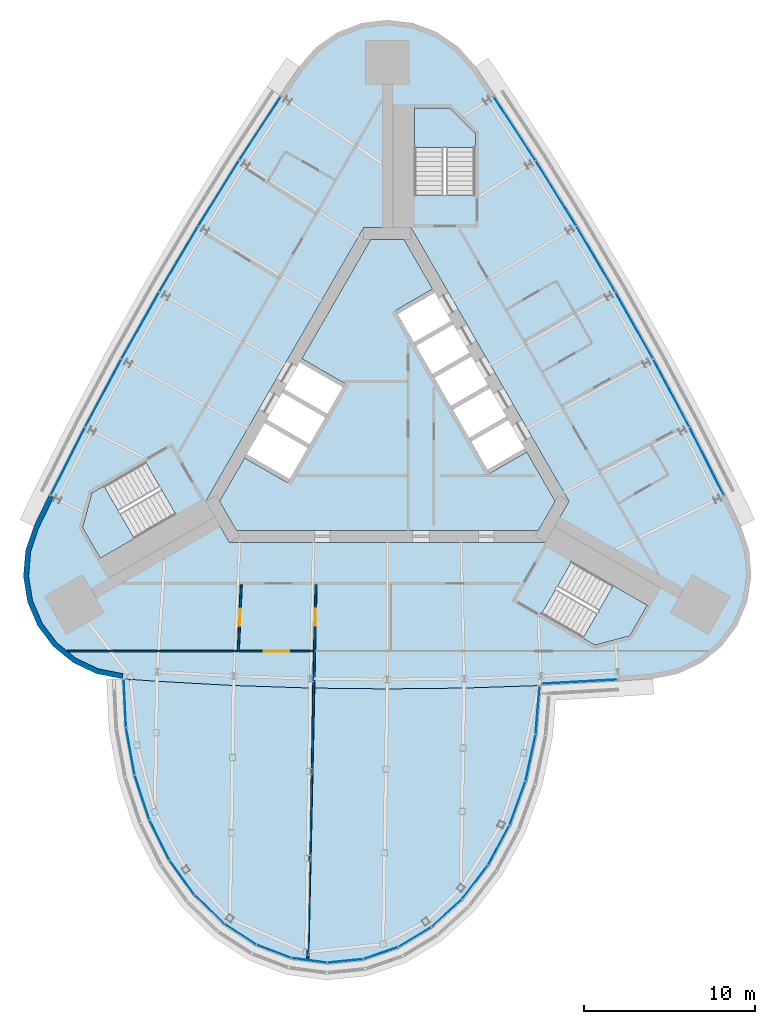
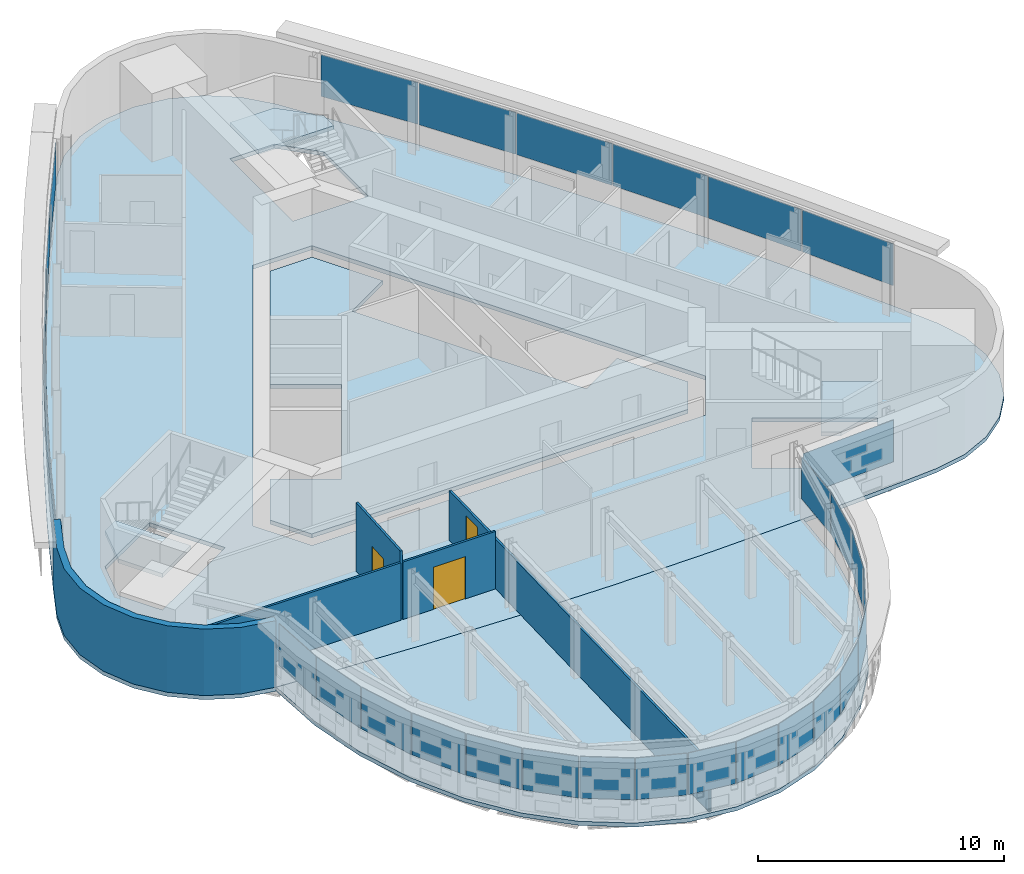
# One storey, part 9 of 15: 31 plates, 6 slabs, 5 walls, 3 doors, 3 openings, 7 elements without a shape of their own.
"""IFC4 building model written with IfcOpenShell, lengths in metres."""

from ifc_helpers import new_model, si_unit, direction, frame, frame_2d, origin, origin_2d, place, context, subcontext, project, spatial, polyline, rectangle, outline, extrude, material, layer, layer_set, type_object, element, fill, aggregate, save


model = new_model("IFC4")

# Units and contexts
model_context = context("Model", 3, precision=1e-05, world=origin(), true_north=direction((0.0, 1.0)))
body_context = subcontext(model_context, "Body", "Model", "MODEL_VIEW")
ifc_project = project(units=[si_unit("LENGTHUNIT", "METRE"), si_unit("AREAUNIT", "SQUARE_METRE"), si_unit("VOLUMEUNIT", "CUBIC_METRE"), si_unit("PLANEANGLEUNIT", "RADIAN"), si_unit("MASSUNIT", "GRAM", prefix="KILO")], contexts=[model_context])

# Site, building, storey
site_placement = place(None, origin())
site = spatial("IfcSite", under=ifc_project, at=site_placement, CompositionType="ELEMENT")
building_placement = place(site_placement, origin())
building = spatial("IfcBuilding", under=site, at=building_placement, Name="Noor Cloister Tower", CompositionType="ELEMENT")
storey_placement = place(building_placement, frame((0.0, 0.0, 225.60009765625)))
storey = spatial("IfcBuildingStorey", under=building, at=storey_placement, Name="L58", CompositionType="ELEMENT", Elevation=225.60009765625)

# Slabs
ifc_material_1 = material(Name="Concrete C40/50", Category="concrete")
ifc_layer_1 = layer(ifc_material_1, 0.199951171875)
ifc_layer_set_1 = layer_set([ifc_layer_1], Name="Core floor slab 200 C40/50")
slab_type_1 = type_object("IfcSlabType", Name="Core floor slab 200 C40/50", PredefinedType="FLOOR", material=ifc_layer_set_1)
slab_1_placement = place(storey_placement, frame((0.0, 0.0, -0.2001953125)))
element("IfcSlab", 1, at=slab_1_placement, inside=storey, type_object=slab_type_1, Name="Core floor L58", PredefinedType="FLOOR", context=body_context, shape_type="SweptSolid", body=[
    extrude(outline(polyline([(2.643798828125, 7.877197265625), (0.9814453125, 10.75634765625), (-0.9814453125, 10.75634765625), (-4.993896484375, 3.806884765625), (-2.482421875, 2.35693359375), (-5.832275390625, -3.4453125), (-8.34375, -1.995361328125), (-9.80615234375, -4.5283203125), (-8.82470703125, -6.228271484375), (8.82470703125, -6.228271484375), (9.80615234375, -4.5283203125), (8.143798828125, -1.64892578125), (5.978759765625, -2.89892578125), (0.478759765625, 6.627197265625), (2.643798828125, 7.877197265625)])), origin(), (0.0, 0.0, 1.0), 0.2001953125),
])
ifc_material_2 = material(Name="Concrete C40/50", Category="concrete")
ifc_layer_2 = layer(ifc_material_2, 0.199951171875)
ifc_layer_set_2 = layer_set([ifc_layer_2], Name="Floor slab 200 C40/50")
slab_type_2 = type_object("IfcSlabType", Name="Floor slab 200 C40/50", PredefinedType="FLOOR", material=ifc_layer_set_2)
slab_2_placement = place(storey_placement, frame((0.0, 0.0, -0.2001953125)))
element("IfcSlab", 2, at=slab_2_placement, inside=storey, type_object=slab_type_2, Name="Floor slab L58", PredefinedType="FLOOR", context=body_context, shape_type="SweptSolid", body=[
    extrude(outline(polyline([(5.148681640625, 20.87890625), (4.1513671875, 22.012939453125), (2.91064453125, 22.874267578125), (1.499267578125, 23.412109375), (0.0, 23.5947265625), (-1.499267578125, 23.412109375), (-2.91064453125, 22.874267578125), (-4.1513671875, 22.012939453125), (-5.148681640625, 20.87890625), (-6.2822265625, 19.2041015625), (-8.744140625, 15.437255859375), (-11.122314453125, 11.6171875), (-13.415283203125, 7.745361328125), (-15.621826171875, 3.823486328125), (-17.7412109375, -0.14599609375), (-19.772216796875, -4.16162109375), (-20.65576171875, -5.98046875), (-21.139404296875, -7.411376953125), (-21.264892578125, -8.91650390625), (-21.02490234375, -10.40771484375), (-20.433837890625, -11.79736328125), (-19.52587890625, -13.00439453125), (-18.354248046875, -13.957763671875), (-16.988037109375, -14.6015625), (-15.50732421875, -14.898193359375), (-13.489990234375, -15.04248046875), (-8.9970703125, -15.291259765625), (-4.49951171875, -15.440673828125), (0.0, -15.490478515625), (4.49951171875, -15.440673828125), (8.9970703125, -15.291259765625), (13.489990234375, -15.04248046875), (15.50732421875, -14.898193359375), (16.988037109375, -14.6015625), (18.354248046875, -13.957763671875), (19.52587890625, -13.00439453125), (20.433837890625, -11.79736328125), (21.02490234375, -10.40771484375), (21.264892578125, -8.91650390625), (21.139404296875, -7.411376953125), (20.65576171875, -5.98046875), (19.772216796875, -4.16162109375), (17.7412109375, -0.14599609375), (15.621826171875, 3.823486328125), (13.415283203125, 7.745361328125), (11.122314453125, 11.6171875), (8.744140625, 15.437255859375), (6.2822265625, 19.2041015625), (5.148681640625, 20.87890625)]), holes=[polyline([(8.999755859375, -11.126220703125), (12.131591796875, -12.934326171875), (14.1572265625, -12.3916015625), (15.19091796875, -10.601318359375), (10.774658203125, -8.0517578125), (8.999755859375, -11.126220703125)]), polyline([(-17.81005859375, -6.064697265625), (-16.776611328125, -7.85498046875), (-12.3603515625, -5.305419921875), (-14.13525390625, -2.23095703125), (-16.662841796875, -3.690185546875), (-17.267333984375, -4.039306640625), (-17.81005859375, -6.064697265625)]), polyline([(-10.6142578125, -4.5283203125), (-9.228759765625, -6.92822265625), (9.228759765625, -6.92822265625), (10.6142578125, -4.5283203125), (1.3857421875, 11.456298828125), (-1.3857421875, 11.456298828125), (-10.6142578125, -4.5283203125)]), polyline([(3.65283203125, 18.456298828125), (1.585693359375, 18.456298828125), (1.585693359375, 13.35693359375), (5.135498046875, 13.35693359375), (5.135498046875, 16.9736328125), (3.65283203125, 18.456298828125)])]), origin(), (0.0, 0.0, 1.0), 0.2001953125),
])

# Curtain wall, plates
ifc_material_3 = material(Name="Aluminium 6063-T6 anodised", Category="aluminium")
curtain_wall_type_1 = type_object("IfcCurtainWallType", Name="Ribbon curtain wall, upper tower CW5", PredefinedType="NOTDEFINED", material=ifc_material_3)
curtain_wall_1_placement = place(storey_placement, origin())
curtain_wall_1 = element("IfcCurtainWall", 3, at=curtain_wall_1_placement, inside=storey, type_object=curtain_wall_type_1, Name="CW5 L58 NW run 1", PredefinedType="NOTDEFINED")
ifc_material_4 = material(Name="Clear laminated glass 2 x 8 mm", Category="glass")
ifc_layer_3 = layer(ifc_material_4, 0.028076171875)
ifc_layer_set_3 = layer_set([ifc_layer_3], Name="Glass panel CW5")
plate_type_1 = type_object("IfcPlateType", Name="Glass panel CW5", PredefinedType="CURTAIN_PANEL", material=ifc_layer_set_3)
plate_1_placement = place(storey_placement, frame((-7.438720703125, 17.251708984375, 1.08984375), z_axis=(0.0, 0.0, 1.0), x_axis=(-0.547130585813, -0.837047263939, 0.0)))
plate_1 = element("IfcPlate", 4, at=plate_1_placement, type_object=plate_type_1, Name="CW5 glass panel 1", PredefinedType="CURTAIN_PANEL", context=body_context, shape_type="SweptSolid", body=[
    extrude(rectangle(XDim=4.413818359375, YDim=0.028076171875, at=origin_2d()), origin(), (0.0, 0.0, 1.0), 2.070068359375),
])
plate_2_placement = place(storey_placement, frame((-9.848388671875, 13.474365234375, 1.08984375), z_axis=(0.0, 0.0, 1.0), x_axis=(-0.528471347381, -0.848951138168, 0.0)))
plate_2 = element("IfcPlate", 5, at=plate_2_placement, type_object=plate_type_1, Name="CW5 glass panel 2", PredefinedType="CURTAIN_PANEL", context=body_context, shape_type="SweptSolid", body=[
    extrude(rectangle(XDim=4.44775390625, YDim=0.028076171875, at=origin_2d()), origin(), (0.0, 0.0, 1.0), 2.070068359375),
])
plate_3_placement = place(storey_placement, frame((-12.1826171875, 9.630126953125, 1.08984375), z_axis=(0.0, 0.0, 1.0), x_axis=(-0.509553242025, -0.860439128319, 0.0)))
plate_3 = element("IfcPlate", 6, at=plate_3_placement, type_object=plate_type_1, Name="CW5 glass panel 3", PredefinedType="CURTAIN_PANEL", context=body_context, shape_type="SweptSolid", body=[
    extrude(rectangle(XDim=4.44775390625, YDim=0.028076171875, at=origin_2d()), origin(), (0.0, 0.0, 1.0), 2.070068359375),
])
plate_4_placement = place(storey_placement, frame((-14.431396484375, 5.7353515625, 1.08984375), z_axis=(0.0, 0.0, 1.0), x_axis=(-0.490385522521, -0.871505616334, 0.0)))
plate_4 = element("IfcPlate", 7, at=plate_4_placement, type_object=plate_type_1, Name="CW5 glass panel 4", PredefinedType="CURTAIN_PANEL", context=body_context, shape_type="SweptSolid", body=[
    extrude(rectangle(XDim=4.44775390625, YDim=0.028076171875, at=origin_2d()), origin(), (0.0, 0.0, 1.0), 2.070068359375),
])
plate_5_placement = place(storey_placement, frame((-16.59326171875, 1.791748046875, 1.08984375), z_axis=(0.0, 0.0, 1.0), x_axis=(-0.470977578535, -0.882145181088, 0.0)))
plate_5 = element("IfcPlate", 8, at=plate_5_placement, type_object=plate_type_1, Name="CW5 glass panel 5", PredefinedType="CURTAIN_PANEL", context=body_context, shape_type="SweptSolid", body=[
    extrude(rectangle(XDim=4.44775390625, YDim=0.028076171875, at=origin_2d()), origin(), (0.0, 0.0, 1.0), 2.070068359375),
])
plate_6_placement = place(storey_placement, frame((-18.659912109375, -2.183837890625, 1.08984375), z_axis=(0.0, 0.0, 1.0), x_axis=(-0.451338901833, -0.892352618471, 0.0)))
plate_6 = element("IfcPlate", 9, at=plate_6_placement, type_object=plate_type_1, Name="CW5 glass panel 6", PredefinedType="CURTAIN_PANEL", context=body_context, shape_type="SweptSolid", body=[
    extrude(rectangle(XDim=4.413818359375, YDim=0.028076171875, at=origin_2d()), origin(), (0.0, 0.0, 1.0), 2.070068359375),
])
aggregate(curtain_wall_1, [plate_1, plate_2, plate_3, plate_4, plate_5, plate_6])

# Curtain wall, plate
curtain_wall_2_placement = place(storey_placement, origin())
curtain_wall_2 = element("IfcCurtainWall", 10, at=curtain_wall_2_placement, inside=storey, type_object=curtain_wall_type_1, Name="CW5 L58 S run 3", PredefinedType="NOTDEFINED")
plate_7_placement = place(storey_placement, frame((11.238037109375, -15.067138671875, 1.08984375), z_axis=(0.0, 0.0, 1.0), x_axis=(0.998469487646, 0.055305354532, 0.0)))
plate_7 = element("IfcPlate", 11, at=plate_7_placement, type_object=plate_type_1, Name="CW5 glass panel 1", PredefinedType="CURTAIN_PANEL", context=body_context, shape_type="SweptSolid", body=[
    extrude(rectangle(XDim=4.3798828125, YDim=0.028076171875, at=origin_2d()), origin(), (0.0, 0.0, 1.0), 2.070068359375),
])
aggregate(curtain_wall_2, [plate_7])

# Curtain wall, plates
curtain_wall_3_placement = place(storey_placement, origin())
curtain_wall_3 = element("IfcCurtainWall", 12, at=curtain_wall_3_placement, inside=storey, type_object=curtain_wall_type_1, Name="CW5 L58 NE run 4", PredefinedType="NOTDEFINED")
plate_8_placement = place(storey_placement, frame((18.659912109375, -2.183837890625, 1.08984375), z_axis=(0.0, 0.0, 1.0), x_axis=(-0.451338901833, 0.892352618471, 0.0)))
plate_8 = element("IfcPlate", 13, at=plate_8_placement, type_object=plate_type_1, Name="CW5 glass panel 1", PredefinedType="CURTAIN_PANEL", context=body_context, shape_type="SweptSolid", body=[
    extrude(rectangle(XDim=4.413818359375, YDim=0.028076171875, at=origin_2d()), origin(), (0.0, 0.0, 1.0), 2.070068359375),
])
plate_9_placement = place(storey_placement, frame((16.59326171875, 1.791748046875, 1.08984375), z_axis=(0.0, 0.0, 1.0), x_axis=(-0.470977578535, 0.882145181088, 0.0)))
plate_9 = element("IfcPlate", 14, at=plate_9_placement, type_object=plate_type_1, Name="CW5 glass panel 2", PredefinedType="CURTAIN_PANEL", context=body_context, shape_type="SweptSolid", body=[
    extrude(rectangle(XDim=4.44775390625, YDim=0.028076171875, at=origin_2d()), origin(), (0.0, 0.0, 1.0), 2.070068359375),
])
plate_10_placement = place(storey_placement, frame((14.431396484375, 5.7353515625, 1.08984375), z_axis=(0.0, 0.0, 1.0), x_axis=(-0.490385522521, 0.871505616334, 0.0)))
plate_10 = element("IfcPlate", 15, at=plate_10_placement, type_object=plate_type_1, Name="CW5 glass panel 3", PredefinedType="CURTAIN_PANEL", context=body_context, shape_type="SweptSolid", body=[
    extrude(rectangle(XDim=4.44775390625, YDim=0.028076171875, at=origin_2d()), origin(), (0.0, 0.0, 1.0), 2.070068359375),
])
plate_11_placement = place(storey_placement, frame((12.1826171875, 9.630126953125, 1.08984375), z_axis=(0.0, 0.0, 1.0), x_axis=(-0.509553242025, 0.860439128319, 0.0)))
plate_11 = element("IfcPlate", 16, at=plate_11_placement, type_object=plate_type_1, Name="CW5 glass panel 4", PredefinedType="CURTAIN_PANEL", context=body_context, shape_type="SweptSolid", body=[
    extrude(rectangle(XDim=4.44775390625, YDim=0.028076171875, at=origin_2d()), origin(), (0.0, 0.0, 1.0), 2.070068359375),
])
plate_12_placement = place(storey_placement, frame((9.848388671875, 13.474365234375, 1.08984375), z_axis=(0.0, 0.0, 1.0), x_axis=(-0.528471347381, 0.848951138168, 0.0)))
plate_12 = element("IfcPlate", 17, at=plate_12_placement, type_object=plate_type_1, Name="CW5 glass panel 5", PredefinedType="CURTAIN_PANEL", context=body_context, shape_type="SweptSolid", body=[
    extrude(rectangle(XDim=4.44775390625, YDim=0.028076171875, at=origin_2d()), origin(), (0.0, 0.0, 1.0), 2.070068359375),
])
plate_13_placement = place(storey_placement, frame((7.438720703125, 17.251708984375, 1.08984375), z_axis=(0.0, 0.0, 1.0), x_axis=(-0.547130585813, 0.837047263939, 0.0)))
plate_13 = element("IfcPlate", 18, at=plate_13_placement, type_object=plate_type_1, Name="CW5 glass panel 6", PredefinedType="CURTAIN_PANEL", context=body_context, shape_type="SweptSolid", body=[
    extrude(rectangle(XDim=4.413818359375, YDim=0.028076171875, at=origin_2d()), origin(), (0.0, 0.0, 1.0), 2.070068359375),
])
aggregate(curtain_wall_3, [plate_8, plate_9, plate_10, plate_11, plate_12, plate_13])

ifc_material_5 = material(Name="Aluminium 6063-T6 anodised", Category="aluminium")
curtain_wall_type_2 = type_object("IfcCurtainWallType", Name="Sky bar curtain wall, upper bars CW6", PredefinedType="NOTDEFINED", material=ifc_material_5)
curtain_wall_4_placement = place(storey_placement, origin())
curtain_wall_4 = element("IfcCurtainWall", 19, at=curtain_wall_4_placement, inside=storey, type_object=curtain_wall_type_2, Name="CW6 L58 S sky bar run 2", PredefinedType="NOTDEFINED")
ifc_material_6 = material(Name="Clear laminated glass 2 x 8 mm", Category="glass")
ifc_layer_4 = layer(ifc_material_6, 0.028076171875)
ifc_layer_set_4 = layer_set([ifc_layer_4], Name="Glass panel CW6")
plate_type_2 = type_object("IfcPlateType", Name="Glass panel CW6", PredefinedType="CURTAIN_PANEL", material=ifc_layer_set_4)
plate_14_placement = place(storey_placement, frame((-15.336669921875, -16.34130859375, 1.08984375), z_axis=(0.0, 0.0, 1.0), x_axis=(0.048822714606, -0.998807460194, 0.0)))
plate_14 = element("IfcPlate", 20, at=plate_14_placement, type_object=plate_type_2, Name="CW6 glass panel 1", PredefinedType="CURTAIN_PANEL", context=body_context, shape_type="SweptSolid", body=[
    extrude(rectangle(XDim=2.779541015625, YDim=0.028076171875, at=origin_2d()), origin(), (0.0, 0.0, 1.0), 2.070068359375),
])
plate_15_placement = place(storey_placement, frame((-15.0146484375, -19.141357421875, 1.08984375), z_axis=(0.0, 0.0, 1.0), x_axis=(0.17940983055, -0.983774421655, 0.0)))
plate_15 = element("IfcPlate", 21, at=plate_15_placement, type_object=plate_type_2, Name="CW6 glass panel 2", PredefinedType="CURTAIN_PANEL", context=body_context, shape_type="SweptSolid", body=[
    extrude(rectangle(XDim=2.76904296875, YDim=0.028076171875, at=origin_2d()), origin(), (0.0, 0.0, 1.0), 2.070068359375),
])
plate_16_placement = place(storey_placement, frame((-14.33349609375, -21.831787109375, 1.08984375), z_axis=(0.0, 0.0, 1.0), x_axis=(0.312038400658, -0.950069490361, 0.0)))
plate_16 = element("IfcPlate", 22, at=plate_16_placement, type_object=plate_type_2, Name="CW6 glass panel 3", PredefinedType="CURTAIN_PANEL", context=body_context, shape_type="SweptSolid", body=[
    extrude(rectangle(XDim=2.694091796875, YDim=0.028076171875, at=origin_2d()), origin(), (0.0, 0.0, 1.0), 2.070068359375),
])
plate_17_placement = place(storey_placement, frame((-13.315185546875, -24.316162109375, 1.08984375), z_axis=(0.0, 0.0, 1.0), x_axis=(0.447069484566, -0.894499231956, 0.0)))
plate_17 = element("IfcPlate", 23, at=plate_17_placement, type_object=plate_type_2, Name="CW6 glass panel 4", PredefinedType="CURTAIN_PANEL", context=body_context, shape_type="SweptSolid", body=[
    extrude(rectangle(XDim=2.590087890625, YDim=0.028076171875, at=origin_2d()), origin(), (0.0, 0.0, 1.0), 2.070068359375),
])
plate_18_placement = place(storey_placement, frame((-11.9912109375, -26.51904296875, 1.08984375), z_axis=(0.0, 0.0, 1.0), x_axis=(0.583263432712, -0.812283059076, 0.0)))
plate_18 = element("IfcPlate", 24, at=plate_18_placement, type_object=plate_type_2, Name="CW6 glass panel 5", PredefinedType="CURTAIN_PANEL", context=body_context, shape_type="SweptSolid", body=[
    extrude(rectangle(XDim=2.466064453125, YDim=0.028076171875, at=origin_2d()), origin(), (0.0, 0.0, 1.0), 2.070068359375),
])
plate_19_placement = place(storey_placement, frame((-10.40234375, -28.373291015625, 1.08984375), z_axis=(0.0, 0.0, 1.0), x_axis=(0.716495314317, -0.697591904025, 0.0)))
plate_19 = element("IfcPlate", 25, at=plate_19_placement, type_object=plate_type_2, Name="CW6 glass panel 6", PredefinedType="CURTAIN_PANEL", context=body_context, shape_type="SweptSolid", body=[
    extrude(rectangle(XDim=2.3359375, YDim=0.028076171875, at=origin_2d()), origin(), (0.0, 0.0, 1.0), 2.070068359375),
])
plate_20_placement = place(storey_placement, frame((-8.59814453125, -29.8232421875, 1.08984375), z_axis=(0.0, 0.0, 1.0), x_axis=(0.838255798572, -0.545277192041, 0.0)))
plate_20 = element("IfcPlate", 26, at=plate_20_placement, type_object=plate_type_2, Name="CW6 glass panel 7", PredefinedType="CURTAIN_PANEL", context=body_context, shape_type="SweptSolid", body=[
    extrude(rectangle(XDim=2.21484375, YDim=0.028076171875, at=origin_2d()), origin(), (0.0, 0.0, 1.0), 2.070068359375),
])
plate_21_placement = place(storey_placement, frame((-6.6337890625, -30.825439453125, 1.08984375), z_axis=(0.0, 0.0, 1.0), x_axis=(0.935082379451, -0.354430449651, 0.0)))
plate_21 = element("IfcPlate", 27, at=plate_21_placement, type_object=plate_type_2, Name="CW6 glass panel 8", PredefinedType="CURTAIN_PANEL", context=body_context, shape_type="SweptSolid", body=[
    extrude(rectangle(XDim=2.12060546875, YDim=0.028076171875, at=origin_2d()), origin(), (0.0, 0.0, 1.0), 2.070068359375),
])
plate_22_placement = place(storey_placement, frame((-4.568359375, -31.35107421875, 1.08984375), z_axis=(0.0, 0.0, 1.0), x_axis=(0.991127949821, -0.132911199993, 0.0)))
plate_22 = element("IfcPlate", 28, at=plate_22_placement, type_object=plate_type_2, Name="CW6 glass panel 9", PredefinedType="CURTAIN_PANEL", context=body_context, shape_type="SweptSolid", body=[
    extrude(rectangle(XDim=2.06884765625, YDim=0.028076171875, at=origin_2d()), origin(), (0.0, 0.0, 1.0), 2.070068359375),
])
plate_23_placement = place(storey_placement, frame((-2.4638671875, -31.385009765625, 1.08984375), z_axis=(0.0, 0.0, 1.0), x_axis=(0.994881086268, 0.101052581298, 0.0)))
plate_23 = element("IfcPlate", 29, at=plate_23_placement, type_object=plate_type_2, Name="CW6 glass panel 10", PredefinedType="CURTAIN_PANEL", context=body_context, shape_type="SweptSolid", body=[
    extrude(rectangle(XDim=2.06884765625, YDim=0.028076171875, at=origin_2d()), origin(), (0.0, 0.0, 1.0), 2.070068359375),
])
plate_24_placement = place(storey_placement, frame((-0.3828125, -30.92578125, 1.08984375), z_axis=(0.0, 0.0, 1.0), x_axis=(0.945969538875, 0.324255503454, 0.0)))
plate_24 = element("IfcPlate", 30, at=plate_24_placement, type_object=plate_type_2, Name="CW6 glass panel 11", PredefinedType="CURTAIN_PANEL", context=body_context, shape_type="SweptSolid", body=[
    extrude(rectangle(XDim=2.12060546875, YDim=0.028076171875, at=origin_2d()), origin(), (0.0, 0.0, 1.0), 2.070068359375),
])
plate_25_placement = place(storey_placement, frame((1.61279296875, -29.987060546875, 1.08984375), z_axis=(0.0, 0.0, 1.0), x_axis=(0.855314149402, 0.518109743039, 0.0)))
plate_25 = element("IfcPlate", 31, at=plate_25_placement, type_object=plate_type_2, Name="CW6 glass panel 12", PredefinedType="CURTAIN_PANEL", context=body_context, shape_type="SweptSolid", body=[
    extrude(rectangle(XDim=2.21484375, YDim=0.028076171875, at=origin_2d()), origin(), (0.0, 0.0, 1.0), 2.070068359375),
])
plate_26_placement = place(storey_placement, frame((3.462646484375, -28.595703125, 1.08984375), z_axis=(0.0, 0.0, 1.0), x_axis=(0.738501778547, 0.674251528054, 0.0)))
plate_26 = element("IfcPlate", 32, at=plate_26_placement, type_object=plate_type_2, Name="CW6 glass panel 13", PredefinedType="CURTAIN_PANEL", context=body_context, shape_type="SweptSolid", body=[
    extrude(rectangle(XDim=2.3359375, YDim=0.028076171875, at=origin_2d()), origin(), (0.0, 0.0, 1.0), 2.070068359375),
])
plate_27_placement = place(storey_placement, frame((5.110107421875, -26.79345703125, 1.08984375), z_axis=(0.0, 0.0, 1.0), x_axis=(0.609017158435, 0.793157046701, 0.0)))
plate_27 = element("IfcPlate", 33, at=plate_27_placement, type_object=plate_type_2, Name="CW6 glass panel 14", PredefinedType="CURTAIN_PANEL", context=body_context, shape_type="SweptSolid", body=[
    extrude(rectangle(XDim=2.466064453125, YDim=0.028076171875, at=origin_2d()), origin(), (0.0, 0.0, 1.0), 2.070068359375),
])
plate_28_placement = place(storey_placement, frame((6.504150390625, -24.634033203125, 1.08984375), z_axis=(0.0, 0.0, 1.0), x_axis=(0.475530339564, 0.879699321447, 0.0)))
plate_28 = element("IfcPlate", 34, at=plate_28_placement, type_object=plate_type_2, Name="CW6 glass panel 15", PredefinedType="CURTAIN_PANEL", context=body_context, shape_type="SweptSolid", body=[
    extrude(rectangle(XDim=2.590087890625, YDim=0.028076171875, at=origin_2d()), origin(), (0.0, 0.0, 1.0), 2.070068359375),
])
plate_29_placement = place(storey_placement, frame((7.6015625, -22.18359375, 1.08984375), z_axis=(0.0, 0.0, 1.0), x_axis=(0.342351138036, 0.939572082538, 0.0)))
plate_29 = element("IfcPlate", 35, at=plate_29_placement, type_object=plate_type_2, Name="CW6 glass panel 16", PredefinedType="CURTAIN_PANEL", context=body_context, shape_type="SweptSolid", body=[
    extrude(rectangle(XDim=2.694091796875, YDim=0.028076171875, at=origin_2d()), origin(), (0.0, 0.0, 1.0), 2.070068359375),
])
plate_30_placement = place(storey_placement, frame((8.36865234375, -19.516357421875, 1.08984375), z_axis=(0.0, 0.0, 1.0), x_axis=(0.210871888122, 0.977513706707, 0.0)))
plate_30 = element("IfcPlate", 36, at=plate_30_placement, type_object=plate_type_2, Name="CW6 glass panel 17", PredefinedType="CURTAIN_PANEL", context=body_context, shape_type="SweptSolid", body=[
    extrude(rectangle(XDim=2.76904296875, YDim=0.028076171875, at=origin_2d()), origin(), (0.0, 0.0, 1.0), 2.070068359375),
])
plate_31_placement = place(storey_placement, frame((8.7802734375, -16.728271484375, 1.08984375), z_axis=(0.0, 0.0, 1.0), x_axis=(0.080834144736, 0.996727566111, 0.0)))
plate_31 = element("IfcPlate", 37, at=plate_31_placement, type_object=plate_type_2, Name="CW6 glass panel 18", PredefinedType="CURTAIN_PANEL", context=body_context, shape_type="SweptSolid", body=[
    extrude(rectangle(XDim=2.779541015625, YDim=0.028076171875, at=origin_2d()), origin(), (0.0, 0.0, 1.0), 2.070068359375),
])
aggregate(curtain_wall_4, [plate_14, plate_15, plate_16, plate_17, plate_18, plate_19, plate_20, plate_21, plate_22, plate_23, plate_24, plate_25, plate_26, plate_27, plate_28, plate_29, plate_30, plate_31])

# Slab
ifc_material_7 = material(Name="Concrete C40/50", Category="concrete")
ifc_layer_5 = layer(ifc_material_7, 0.199951171875)
ifc_layer_set_5 = layer_set([ifc_layer_5], Name="Pod floor slab 200")
slab_type_3 = type_object("IfcSlabType", Name="Pod floor slab 200", PredefinedType="FLOOR", material=ifc_layer_set_5)
slab_3_placement = place(storey_placement, frame((0.0, 0.0, -0.2001953125)))
element("IfcSlab", 38, at=slab_3_placement, inside=storey, type_object=slab_type_3, Name="Pod floor slab L58", PredefinedType="FLOOR", context=body_context, shape_type="SweptSolid", body=[
    extrude(outline(polyline([(-15.50732421875, -14.898193359375), (-15.366943359375, -17.76611328125), (-14.85888671875, -20.552734375), (-13.998046875, -23.173583984375), (-12.810791015625, -25.548828125), (-11.333251953125, -27.6064453125), (-9.6103515625, -29.2841796875), (-7.6943359375, -30.530517578125), (-5.643310546875, -31.307861328125), (-3.519775390625, -31.5927734375), (-1.38818359375, -31.376220703125), (0.686767578125, -30.6650390625), (2.641845703125, -29.480712890625), (4.417724609375, -27.859130859375), (5.96044921875, -25.85009765625), (7.22314453125, -23.513916015625), (8.167724609375, -20.922119140625), (8.764892578125, -18.153076171875), (8.9970703125, -15.291259765625), (4.49951171875, -15.440673828125), (0.0, -15.490478515625), (-4.49951171875, -15.440673828125), (-8.9970703125, -15.291259765625), (-13.489990234375, -15.04248046875), (-15.50732421875, -14.898193359375)])), origin(), (0.0, 0.0, 1.0), 0.2001953125),
])

# Stair, slab
ifc_material_8 = material(Name="Concrete C40/50", Category="concrete")
stair_type = type_object("IfcStairType", Name="Exit stair 22 risers", PredefinedType="HALF_TURN_STAIR", material=ifc_material_8)
stair_1_placement = place(storey_placement, origin())
stair_1 = element("IfcStair", 39, at=stair_1_placement, inside=storey, type_object=stair_type, Name="Exit stair ST1 L58", PredefinedType="HALF_TURN_STAIR")
ifc_material_9 = material(Name="Concrete C40/50", Category="concrete")
ifc_layer_6 = layer(ifc_material_9, 0.199951171875)
ifc_layer_set_6 = layer_set([ifc_layer_6], Name="Stair landing 200 C40/50")
slab_type_4 = type_object("IfcSlabType", Name="Stair landing 200 C40/50", PredefinedType="LANDING", material=ifc_layer_set_6)
slab_4_placement = place(storey_placement, frame((0.0, 0.0, 1.599853515625)))
slab_4 = element("IfcSlab", 40, at=slab_4_placement, type_object=slab_type_4, Name="ST1 landing 1", PredefinedType="LANDING", context=body_context, shape_type="SweptSolid", body=[
    extrude(outline(polyline([(5.135498046875, 16.15576171875), (5.135498046875, 16.9736328125), (3.65283203125, 18.456298828125), (1.585693359375, 18.456298828125), (1.585693359375, 16.15576171875), (5.135498046875, 16.15576171875)])), origin(), (0.0, 0.0, 1.0), 0.199951171875),
])
aggregate(stair_1, [slab_4])

stair_2_placement = place(storey_placement, origin())
stair_2 = element("IfcStair", 41, at=stair_2_placement, inside=storey, type_object=stair_type, Name="Exit stair ST2 L58", PredefinedType="HALF_TURN_STAIR")
slab_5_placement = place(storey_placement, frame((0.0, 0.0, 1.599853515625)))
slab_5 = element("IfcSlab", 42, at=slab_5_placement, type_object=slab_type_4, Name="ST2 landing 1", PredefinedType="LANDING", context=body_context, shape_type="SweptSolid", body=[
    extrude(outline(polyline([(-16.55908203125, -3.63037109375), (-17.267333984375, -4.039306640625), (-17.81005859375, -6.064697265625), (-16.776611328125, -7.85498046875), (-14.7841796875, -6.70458984375), (-16.55908203125, -3.63037109375)])), origin(), (0.0, 0.0, 1.0), 0.199951171875),
])
aggregate(stair_2, [slab_5])

stair_3_placement = place(storey_placement, origin())
stair_3 = element("IfcStair", 43, at=stair_3_placement, inside=storey, type_object=stair_type, Name="Exit stair ST3 L58", PredefinedType="HALF_TURN_STAIR")
slab_6_placement = place(storey_placement, frame((0.0, 0.0, 1.599853515625)))
slab_6 = element("IfcSlab", 44, at=slab_6_placement, type_object=slab_type_4, Name="ST3 landing 1", PredefinedType="LANDING", context=body_context, shape_type="SweptSolid", body=[
    extrude(outline(polyline([(11.423583984375, -12.525390625), (12.131591796875, -12.934326171875), (14.1572265625, -12.3916015625), (15.19091796875, -10.601318359375), (13.198486328125, -9.451171875), (11.423583984375, -12.525390625)])), origin(), (0.0, 0.0, 1.0), 0.199951171875),
])
aggregate(stair_3, [slab_6])

# Wall
ifc_material_10 = material(Name="Limestone", Category="masonry")
ifc_layer_7 = layer(ifc_material_10, 0.300048828125)
ifc_layer_set_7 = layer_set([ifc_layer_7], Name="Limestone cladding 300")
wall_type_1 = type_object("IfcWallType", Name="Limestone cladding 300", PredefinedType="NOTDEFINED", material=ifc_layer_set_7)
wall_1_placement = place(storey_placement, origin())
element("IfcWall", 45, at=wall_1_placement, inside=storey, type_object=wall_type_1, Name="Limestone pier cladding L58 1.1", PredefinedType="NOTDEFINED", context=body_context, shape_type="SweptSolid", body=[
    extrude(outline(polyline([(-19.772216796875, -4.16162109375), (-20.65576171875, -5.98046875), (-21.139404296875, -7.411376953125), (-21.264892578125, -8.91650390625), (-21.02490234375, -10.40771484375), (-20.433837890625, -11.79736328125), (-19.52587890625, -13.00439453125), (-18.354248046875, -13.957763671875), (-16.988037109375, -14.6015625), (-15.50732421875, -14.898193359375), (-15.4482421875, -14.60400390625), (-16.893310546875, -14.314697265625), (-18.193359375, -13.701904296875), (-19.30810546875, -12.794677734375), (-20.171875, -11.646240234375), (-20.734619140625, -10.323974609375), (-20.962890625, -8.905029296875), (-20.843505859375, -7.47265625), (-20.377685546875, -6.094482421875), (-19.50244140625, -4.292724609375), (-19.772216796875, -4.16162109375)])), origin(), (0.0, 0.0, 1.0), 3.2998046875),
])

# Wall, opening, door
ifc_material_11 = material(Name="Gypsum board partition on steel studs, 100 mm", Category="steel")
ifc_layer_8 = layer(ifc_material_11, 0.10009765625)
ifc_layer_set_8 = layer_set([ifc_layer_8], Name="Partition 100")
wall_type_2 = type_object("IfcWallType", Name="Partition 100", PredefinedType="PARTITIONING", material=ifc_layer_set_8)
wall_2_placement = place(storey_placement, frame((-8.5361328125, -9.4033203125, 0.0), z_axis=(0.0, 0.0, 1.0), x_axis=(-0.044201203498, -0.999022649197, 0.0)))
wall_2 = element("IfcWall", 46, at=wall_2_placement, inside=storey, type_object=wall_type_2, Name="Wall L58-W14", PredefinedType="PARTITIONING", context=body_context, shape_type="SweptSolid", body=[
    extrude(rectangle(XDim=3.883056640625, YDim=0.10009765625, at=frame_2d((1.94140625, 0.0))), origin(), (0.0, 0.0, 1.0), 3.39990234375),
])
opening_1_placement = place(wall_2_placement, frame((1.404052734375, 0.0, 0.0)))
opening_1 = element("IfcOpeningElement", 47, at=opening_1_placement, cuts=wall_2, Name="Opening L58-009", PredefinedType="OPENING", context=body_context, shape_type="SweptSolid", body=[
    extrude(rectangle(XDim=1.0, YDim=2.10009765625, at=frame_2d((0.5, 1.050048828125))), frame((0.0, 0.06005859375, 0.0), z_axis=(0.0, -1.0, 0.0), x_axis=(1.0, 0.0, 0.0)), (0.0, 0.0, 1.0), 0.1201171875),
])
ifc_material_12 = material(Name="Timber door leaf with steel frame", Category="steel")
door_type_1 = type_object("IfcDoorType", Name="Interior door 1000", OperationType="NOTDEFINED", PredefinedType="DOOR", material=ifc_material_12)
door_1_placement = place(opening_1_placement, origin())
door_1 = element("IfcDoor", 48, at=door_1_placement, inside=storey, type_object=door_type_1, Name="Door L58-009", OperationType="SINGLE_SWING_LEFT", OverallHeight=2.10009765625, OverallWidth=1.0, PredefinedType="DOOR", context=body_context, shape_type="SweptSolid", body=[
    extrude(rectangle(XDim=1.0, YDim=2.10009765625, at=frame_2d((0.5, 1.050048828125))), frame((0.0, 0.02490234375, 0.0), z_axis=(0.0, -1.0, 0.0), x_axis=(1.0, 0.0, 0.0)), (0.0, 0.0, 1.0), 0.050048828125),
])
fill(opening_1, door_1)

wall_3_placement = place(storey_placement, frame((-4.166015625, -9.4033203125, 0.0), z_axis=(0.0, 0.0, 1.0), x_axis=(-0.022131761569, -0.999755062568, 0.0)))
wall_3 = element("IfcWall", 49, at=wall_3_placement, inside=storey, type_object=wall_type_2, Name="Wall L58-W15", PredefinedType="PARTITIONING", context=body_context, shape_type="SweptSolid", body=[
    extrude(rectangle(XDim=21.9521484375, YDim=0.10009765625, at=frame_2d((10.97607421875, 0.0))), origin(), (0.0, 0.0, 1.0), 2.4609375),
])
opening_2_placement = place(wall_3_placement, frame((1.402587890625, 0.0, 0.0)))
opening_2 = element("IfcOpeningElement", 50, at=opening_2_placement, cuts=wall_3, Name="Opening L58-011", PredefinedType="OPENING", context=body_context, shape_type="SweptSolid", body=[
    extrude(rectangle(XDim=1.0, YDim=2.10009765625, at=frame_2d((0.5, 1.050048828125))), frame((0.0, 0.06005859375, 0.0), z_axis=(0.0, -1.0, 0.0), x_axis=(1.0, 0.0, 0.0)), (0.0, 0.0, 1.0), 0.1201171875),
])
door_2_placement = place(opening_2_placement, origin())
door_2 = element("IfcDoor", 51, at=door_2_placement, inside=storey, type_object=door_type_1, Name="Door L58-011", OperationType="SINGLE_SWING_LEFT", OverallHeight=2.10009765625, OverallWidth=1.0, PredefinedType="DOOR", context=body_context, shape_type="SweptSolid", body=[
    extrude(rectangle(XDim=1.0, YDim=2.10009765625, at=frame_2d((0.5, 1.050048828125))), frame((0.0, 0.02490234375, 0.0), z_axis=(0.0, -1.0, 0.0), x_axis=(1.0, 0.0, 0.0)), (0.0, 0.0, 1.0), 0.050048828125),
])
fill(opening_2, door_2)

# Wall
wall_4_placement = place(storey_placement, frame((-18.708740234375, -13.282470703125, 0.0), z_axis=(0.0, 0.0, 1.0), x_axis=(1.0, 0.0, 0.0)))
element("IfcWall", 52, at=wall_4_placement, inside=storey, type_object=wall_type_2, Name="Wall L58-W17", PredefinedType="PARTITIONING", context=body_context, shape_type="SweptSolid", body=[
    extrude(rectangle(XDim=9.950927734375, YDim=0.10009765625, at=frame_2d((4.9755859375, 0.0))), origin(), (0.0, 0.0, 1.0), 2.851806640625),
])

# Wall, opening, door
wall_5_placement = place(storey_placement, frame((-8.65771484375, -13.282470703125, 0.0), z_axis=(0.0, 0.0, 1.0), x_axis=(1.0, 0.0, 0.0)))
wall_5 = element("IfcWall", 53, at=wall_5_placement, inside=storey, type_object=wall_type_2, Name="Wall L58-W18", PredefinedType="PARTITIONING", context=body_context, shape_type="SweptSolid", body=[
    extrude(rectangle(XDim=4.35595703125, YDim=0.10009765625, at=frame_2d((2.177978515625, 0.0))), origin(), (0.0, 0.0, 1.0), 2.851806640625),
])
opening_3_placement = place(wall_5_placement, frame((1.427978515625, 0.0, 0.0)))
opening_3 = element("IfcOpeningElement", 54, at=opening_3_placement, cuts=wall_5, Name="Opening L58-010", PredefinedType="OPENING", context=body_context, shape_type="SweptSolid", body=[
    extrude(rectangle(XDim=1.5, YDim=2.10009765625, at=frame_2d((0.75, 1.050048828125))), frame((0.0, 0.06005859375, 0.0), z_axis=(0.0, -1.0, 0.0), x_axis=(1.0, 0.0, 0.0)), (0.0, 0.0, 1.0), 0.1201171875),
])
ifc_material_13 = material(Name="Timber door leaf with steel frame", Category="steel")
door_type_2 = type_object("IfcDoorType", Name="Double door 1500", OperationType="NOTDEFINED", PredefinedType="DOOR", material=ifc_material_13)
door_3_placement = place(opening_3_placement, origin())
door_3 = element("IfcDoor", 55, at=door_3_placement, inside=storey, type_object=door_type_2, Name="Door L58-010", OperationType="DOUBLE_DOOR_SINGLE_SWING", OverallHeight=2.10009765625, OverallWidth=1.5, PredefinedType="DOOR", context=body_context, shape_type="SweptSolid", body=[
    extrude(rectangle(XDim=1.5, YDim=2.10009765625, at=frame_2d((0.75, 1.050048828125))), frame((0.0, 0.02490234375, 0.0), z_axis=(0.0, -1.0, 0.0), x_axis=(1.0, 0.0, 0.0)), (0.0, 0.0, 1.0), 0.050048828125),
])
fill(opening_3, door_3)

save(model, "model.ifc")
